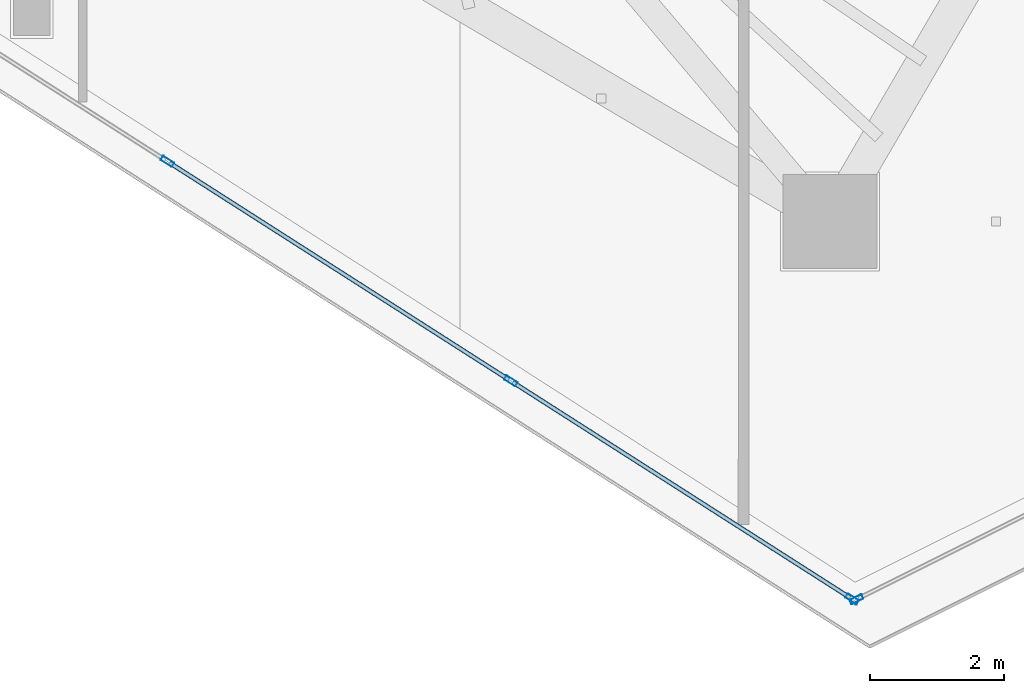
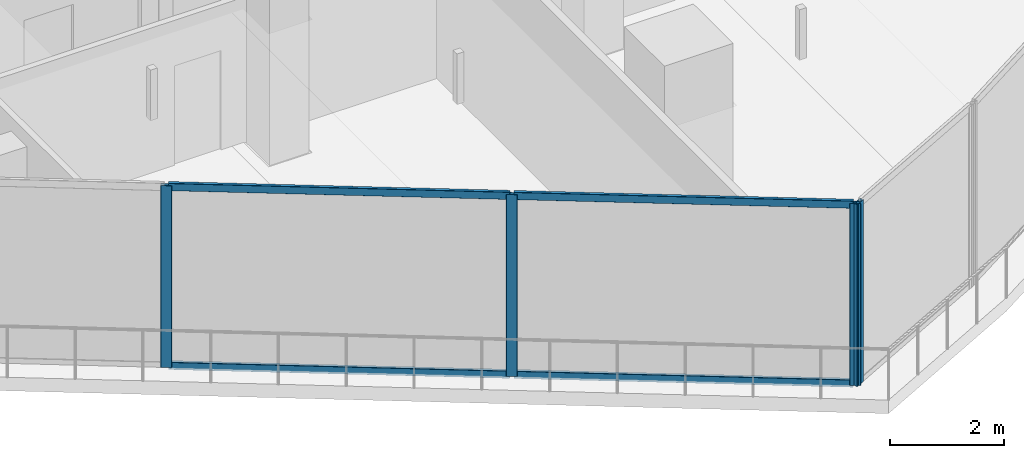
# One storey, part 3 of 25: 8 members, 2 elements without a shape of their own.
"""IFC4 building model written with IfcOpenShell, lengths in metres."""

from ifc_helpers import new_model, si_unit, direction, frame, origin, origin_2d, place, context, subcontext, project, spatial, hollow_rectangle, extrude, material, layer, layer_set, material_profile, profile_set, type_object, element, aggregate, save


model = new_model("IFC4")

# Units and contexts
model_context = context("Model", 3, precision=1e-05, world=origin(), true_north=direction((0.0, 1.0)))
body_context = subcontext(model_context, "Body", "Model", "MODEL_VIEW")
ifc_project = project(units=[si_unit("LENGTHUNIT", "METRE"), si_unit("AREAUNIT", "SQUARE_METRE"), si_unit("VOLUMEUNIT", "CUBIC_METRE"), si_unit("PLANEANGLEUNIT", "RADIAN"), si_unit("MASSUNIT", "GRAM", prefix="KILO")], contexts=[model_context])

# Site, building, storey
site_placement = place(None, origin())
site = spatial("IfcSite", under=ifc_project, at=site_placement, CompositionType="ELEMENT")
building_placement = place(site_placement, origin())
building = spatial("IfcBuilding", under=site, at=building_placement, Name="Qorvath Tower", CompositionType="ELEMENT")
storey_placement = place(building_placement, frame((0.0, 0.0, 297.60009765625)))
storey = spatial("IfcBuildingStorey", under=building, at=storey_placement, Name="L69", CompositionType="ELEMENT", Elevation=297.60009765625)

# Curtain wall, members
ifc_material_1 = material(Name="Anodised aluminium and triple low-E glass", Category="aluminium")
ifc_layer = layer(ifc_material_1, 0.179931640625)
ifc_layer_set = layer_set([ifc_layer], Name="CW-SYS-5")
curtain_wall_type = type_object("IfcCurtainWallType", Name="CW-SYS-5", PredefinedType="NOTDEFINED", material=ifc_layer_set)
curtain_wall_1_placement = place(storey_placement, origin())
curtain_wall_1 = element("IfcCurtainWall", 1, at=curtain_wall_1_placement, inside=storey, type_object=curtain_wall_type, Name="Curtain Wall CW-5 CW-T-L69-2.2", PredefinedType="NOTDEFINED")
ifc_material_2 = material(Name="Anodised aluminium 6063-T6", Category="aluminium")
ifc_material_profile_1 = material_profile(ifc_material_2, hollow_rectangle(XDim=0.074951171875, YDim=0.199951171875, WallThickness=0.00390625, InnerFilletRadius=0.00390625, OuterFilletRadius=0.008056640625, at=origin_2d()), Name="CWM 200x75")
ifc_profile_set_1 = profile_set([ifc_material_profile_1], Name="Anodised aluminium 6063-T6")
member_type_1 = type_object("IfcMemberType", Name="CWM-200", PredefinedType="MULLION", material=ifc_profile_set_1)
member_1_placement = place(storey_placement, frame((-28.65185546875, -16.27734375, 0.0), z_axis=(0.0, 0.0, 1.0), x_axis=(0.538533818494, 0.842603896465, 0.0)))
member_1 = element("IfcMember", 2, at=member_1_placement, type_object=member_type_1, Name="CW-5 mullion 2", PredefinedType="MULLION", context=body_context, shape_type="SweptSolid", body=[
    extrude(hollow_rectangle(XDim=0.074951171875, YDim=0.199951171875, WallThickness=0.00390625, InnerFilletRadius=0.00390625, OuterFilletRadius=0.008056640625, at=origin_2d()), origin(), (0.0, 0.0, 1.0), 3.909912109375),
])
member_2_placement = place(storey_placement, frame((-23.519775390625, -19.557373046875, 0.0), z_axis=(0.0, 0.0, 1.0), x_axis=(0.538533818494, 0.842603896465, 0.0)))
member_2 = element("IfcMember", 3, at=member_2_placement, type_object=member_type_1, Name="CW-5 mullion 3", PredefinedType="MULLION", context=body_context, shape_type="SweptSolid", body=[
    extrude(hollow_rectangle(XDim=0.074951171875, YDim=0.199951171875, WallThickness=0.00390625, InnerFilletRadius=0.00390625, OuterFilletRadius=0.008056640625, at=origin_2d()), origin(), (0.0, 0.0, 1.0), 3.909912109375),
])
member_3_placement = place(storey_placement, frame((-18.419189453125, -22.8173828125, 0.0), z_axis=(0.0, 0.0, 1.0), x_axis=(0.538533818494, 0.842603896465, 0.0)))
member_3 = element("IfcMember", 4, at=member_3_placement, type_object=member_type_1, Name="CW-5 mullion 4", PredefinedType="MULLION", context=body_context, shape_type="SweptSolid", body=[
    extrude(hollow_rectangle(XDim=0.074951171875, YDim=0.199951171875, WallThickness=0.00390625, InnerFilletRadius=0.00390625, OuterFilletRadius=0.008056640625, at=origin_2d()), origin(), (0.0, 0.0, 1.0), 3.909912109375),
])

# Curtain wall, member
curtain_wall_2_placement = place(storey_placement, origin())
curtain_wall_2 = element("IfcCurtainWall", 5, at=curtain_wall_2_placement, inside=storey, type_object=curtain_wall_type, Name="Curtain Wall CW-5 CW-T-L69-3.1", PredefinedType="NOTDEFINED")
member_4_placement = place(storey_placement, frame((-18.35400390625, -22.82080078125, 0.0), z_axis=(0.0, 0.0, 1.0), x_axis=(-0.447180696116, 0.894443639936, 0.0)))
member_4 = element("IfcMember", 6, at=member_4_placement, type_object=member_type_1, Name="CW-5 mullion 1", PredefinedType="MULLION", context=body_context, shape_type="SweptSolid", body=[
    extrude(hollow_rectangle(XDim=0.074951171875, YDim=0.199951171875, WallThickness=0.00390625, InnerFilletRadius=0.00390625, OuterFilletRadius=0.008056640625, at=origin_2d()), origin(), (0.0, 0.0, 1.0), 3.909912109375),
])
aggregate(curtain_wall_2, [member_4])

# Member
ifc_material_3 = material(Name="Anodised aluminium 6063-T6", Category="aluminium")
ifc_material_profile_2 = material_profile(ifc_material_3, hollow_rectangle(XDim=0.06494140625, YDim=0.159912109375, WallThickness=0.00341796875, InnerFilletRadius=0.00341796875, OuterFilletRadius=0.007080078125, at=origin_2d()), Name="CWT 160x65")
ifc_profile_set_2 = profile_set([ifc_material_profile_2], Name="Anodised aluminium 6063-T6")
member_type_2 = type_object("IfcMemberType", Name="CWT-160", PredefinedType="USERDEFINED", material=ifc_profile_set_2)
member_5_placement = place(storey_placement, frame((-28.620361328125, -16.29736328125, 0.032470703125), z_axis=(0.842590376253, -0.538554971982, 0.0), x_axis=(0.538554971982, 0.842590376253, 0.0)))
member_5 = element("IfcMember", 7, at=member_5_placement, type_object=member_type_2, Name="CW-5 transom 2.1", ObjectType="TRANSOM", PredefinedType="USERDEFINED", context=body_context, shape_type="SweptSolid", body=[
    extrude(hollow_rectangle(XDim=0.06494140625, YDim=0.159912109375, WallThickness=0.00341796875, InnerFilletRadius=0.00341796875, OuterFilletRadius=0.007080078125, at=origin_2d()), origin(), (0.0, 0.0, 1.0), 6.01611328125),
])

member_6_placement = place(storey_placement, frame((-28.620361328125, -16.29736328125, 3.87744140625), z_axis=(0.842590376253, -0.538554971982, 0.0), x_axis=(0.538554971982, 0.842590376253, 0.0)))
member_6 = element("IfcMember", 8, at=member_6_placement, type_object=member_type_2, Name="CW-5 transom 2.2", ObjectType="TRANSOM", PredefinedType="USERDEFINED", context=body_context, shape_type="SweptSolid", body=[
    extrude(hollow_rectangle(XDim=0.06494140625, YDim=0.159912109375, WallThickness=0.00341796875, InnerFilletRadius=0.00341796875, OuterFilletRadius=0.007080078125, at=origin_2d()), origin(), (0.0, 0.0, 1.0), 6.01611328125),
])

member_7_placement = place(storey_placement, frame((-23.488037109375, -19.57763671875, 0.032470703125), z_axis=(0.842607210603, -0.538528633074, 0.0), x_axis=(0.538528633074, 0.842607210603, 0.0)))
member_7 = element("IfcMember", 9, at=member_7_placement, type_object=member_type_2, Name="CW-5 transom 3.1", ObjectType="TRANSOM", PredefinedType="USERDEFINED", context=body_context, shape_type="SweptSolid", body=[
    extrude(hollow_rectangle(XDim=0.06494140625, YDim=0.159912109375, WallThickness=0.00341796875, InnerFilletRadius=0.00341796875, OuterFilletRadius=0.007080078125, at=origin_2d()), origin(), (0.0, 0.0, 1.0), 5.978271484375),
])

member_8_placement = place(storey_placement, frame((-23.488037109375, -19.57763671875, 3.87744140625), z_axis=(0.842607210603, -0.538528633074, 0.0), x_axis=(0.538528633074, 0.842607210603, 0.0)))
member_8 = element("IfcMember", 10, at=member_8_placement, type_object=member_type_2, Name="CW-5 transom 3.2", ObjectType="TRANSOM", PredefinedType="USERDEFINED", context=body_context, shape_type="SweptSolid", body=[
    extrude(hollow_rectangle(XDim=0.06494140625, YDim=0.159912109375, WallThickness=0.00341796875, InnerFilletRadius=0.00341796875, OuterFilletRadius=0.007080078125, at=origin_2d()), origin(), (0.0, 0.0, 1.0), 5.978271484375),
])

aggregate(curtain_wall_1, [member_1, member_2, member_3, member_5, member_6, member_7, member_8])

save(model, "model.ifc")
